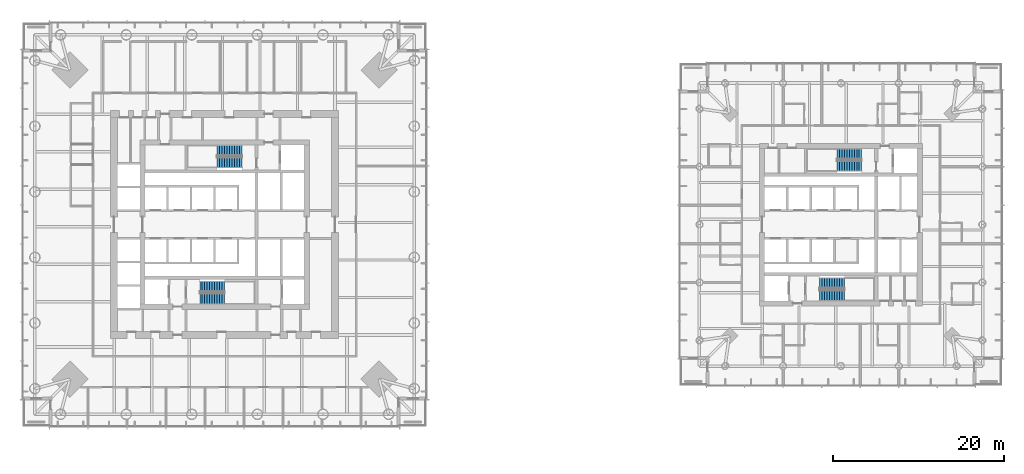
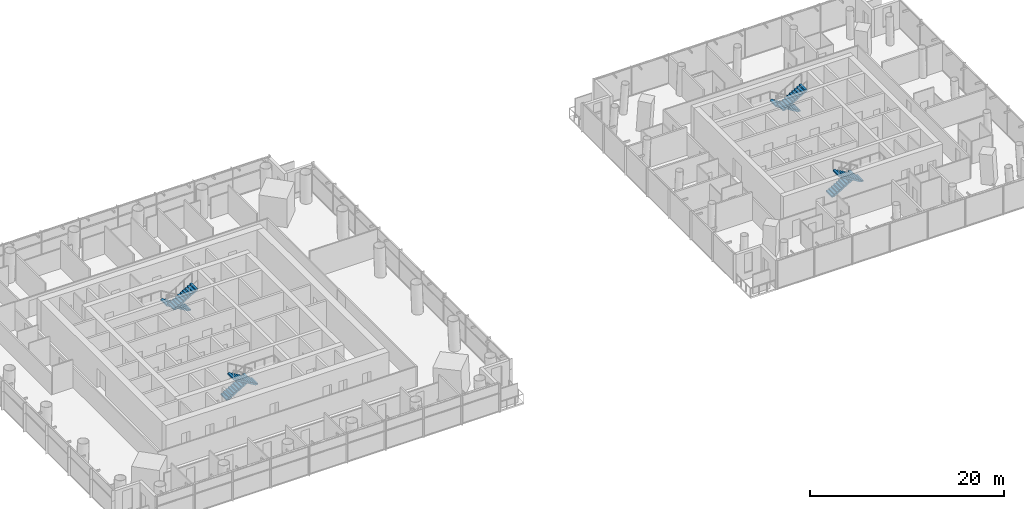
# One storey, part 20 of 24: 8 stair flights, 4 elements without a shape of their own.
"""IFC4 building model written with IfcOpenShell, lengths in metres."""

import ifcopenshell
import ifcopenshell.guid

model = None  # the IFC model being written
_history = None  # IfcOwnerHistory: only IFC2X3 demands one
_inside = {}  # id of a spatial element -> (the spatial element, [elements in it])
_under = {}  # id of a project, library or spatial element -> (it, [spatial elements below it])
_declared = {}  # id of a project -> (the project, [libraries it declares])
_typed = {}  # id of a type object -> (the type object, [elements of that type])
_made_of = {}  # id of a material, layer set ... -> (it, [elements and type objects made of it])


def new_model(schema):
    """Start an empty IFC model of exactly this schema.

    Asked for "IFC4X3", IfcOpenShell would pick the latest addendum, in which some entities
    have other attributes; the version numbers below select the first issue.
    IFC2X3 requires an IfcOwnerHistory on every rooted entity: one is made here for all.
    """
    global model, _history
    if schema == "IFC4X3":
        model = ifcopenshell.file(schema_version=(4, 3, 0, 0))
    else:
        model = ifcopenshell.file(schema=schema)
    _inside.clear()
    _under.clear()
    _declared.clear()
    _typed.clear()
    _made_of.clear()
    _history = None
    if model.schema == "IFC2X3":
        org = make("IfcOrganization", Name="unknown")
        user = make(
            "IfcPersonAndOrganization",
            ThePerson=make("IfcPerson", FamilyName="unknown"),
            TheOrganization=org,
        )
        app = make(
            "IfcApplication",
            ApplicationDeveloper=org,
            Version="unknown",
            ApplicationFullName="unknown",
            ApplicationIdentifier="unknown",
        )
        _history = make(
            "IfcOwnerHistory",
            OwningUser=user,
            OwningApplication=app,
            ChangeAction="ADDED",
            CreationDate=0,
        )
    return model


def make(cls, **values):
    """One entity of the class cls with the attributes given. An attribute that is None is left unset."""
    return model.create_entity(
        cls, **{name: value for name, value in values.items() if value is not None}
    )


def rooted(cls, **values):
    """An entity with a GlobalId (a new one), such as an element, a storey or a relation."""
    return make(cls, GlobalId=ifcopenshell.guid.new(), OwnerHistory=_history, **values)


def si_unit(unit_type, name, prefix=None):
    """IfcSIUnit, for example si_unit("LENGTHUNIT", "METRE", prefix="MILLI")."""
    return make("IfcSIUnit", UnitType=unit_type, Prefix=prefix, Name=name)


def assignment(units):
    """IfcUnitAssignment: the units of a project."""
    return None if units is None else make("IfcUnitAssignment", Units=units)


def point(xyz):
    """IfcCartesianPoint."""
    return None if xyz is None else make("IfcCartesianPoint", Coordinates=xyz)


def direction(xyz):
    """IfcDirection."""
    return None if xyz is None else make("IfcDirection", DirectionRatios=xyz)


def frame(location, z_axis=None, x_axis=None):
    """IfcAxis2Placement3D, a coordinate frame: its origin and axes. An axis left out is left unset."""
    return make(
        "IfcAxis2Placement3D",
        Location=point(location),
        Axis=direction(z_axis),
        RefDirection=direction(x_axis),
    )


def origin():
    """The frame at (0, 0, 0) with its axes left unset."""
    return frame((0.0, 0.0, 0.0))


def place(relative_to, where):
    """IfcLocalPlacement: puts the frame where relative to a parent placement (None: the world)."""
    return make(
        "IfcLocalPlacement", PlacementRelTo=relative_to, RelativePlacement=where
    )


def context(
    kind, dimensions, precision=None, world=None, true_north=None, identifier=None
):
    """IfcGeometricRepresentationContext, for example the 3D "Model" context."""
    return make(
        "IfcGeometricRepresentationContext",
        ContextIdentifier=identifier,
        ContextType=kind,
        CoordinateSpaceDimension=dimensions,
        Precision=precision,
        WorldCoordinateSystem=world,
        TrueNorth=true_north,
    )


def subcontext(parent, identifier, kind, view, scale=None):
    """IfcGeometricRepresentationSubContext, for example "Body" below "Model"."""
    return make(
        "IfcGeometricRepresentationSubContext",
        ContextIdentifier=identifier,
        ContextType=kind,
        ParentContext=parent,
        TargetScale=scale,
        TargetView=view,
    )


def project(units=None, contexts=None):
    """IfcProject with its units and contexts."""
    return rooted(
        "IfcProject",
        Name="project",
        RepresentationContexts=contexts,
        UnitsInContext=assignment(units),
    )


def spatial(cls, under=None, at=None, **own):
    """A site, building, storey or space (cls), placed at a placement, below another one or the project."""
    s = rooted(cls, ObjectPlacement=at, **own)
    if under is not None:
        _under.setdefault(under.id(), (under, []))[1].append(s)
    return s


def polyline(points):
    """IfcPolyline through the points."""
    return make("IfcPolyline", Points=[point(p) for p in points])


def outline(outer, holes=None, kind="AREA"):
    """IfcArbitraryClosedProfileDef: a profile drawn as a closed curve; with holes, ...WithVoids."""
    if holes is None:
        return make("IfcArbitraryClosedProfileDef", ProfileType=kind, OuterCurve=outer)
    return make(
        "IfcArbitraryProfileDefWithVoids",
        ProfileType=kind,
        OuterCurve=outer,
        InnerCurves=holes,
    )


def extrude(swept, where, along, depth):
    """IfcExtrudedAreaSolid: the profile swept, set in the frame where, extruded along a direction by depth."""
    return make(
        "IfcExtrudedAreaSolid",
        SweptArea=swept,
        Position=where,
        ExtrudedDirection=direction(along),
        Depth=depth,
    )


def shape(context_of_items, identifier, shape_type, items):
    """IfcShapeRepresentation: the items that make up one representation, for example the "Body"."""
    return make(
        "IfcShapeRepresentation",
        ContextOfItems=context_of_items,
        RepresentationIdentifier=identifier,
        RepresentationType=shape_type,
        Items=items,
    )


def material(Name=None, Category=None):
    """IfcMaterial."""
    return make("IfcMaterial", Name=Name, Category=Category)


def made_of(thing, what):
    """Note that an element or type object is made of a material, layer set ...; save() writes the relation."""
    if what is not None:
        _made_of.setdefault(what.id(), (what, []))[1].append(thing)
    return thing


def type_object(cls, material=None, **own):
    """A type object (cls), such as IfcWallType, which elements share."""
    return made_of(rooted(cls, **own), material)


def element(
    cls,
    number,
    at=None,
    inside=None,
    cuts=None,
    type_object=None,
    material=None,
    context=None,
    identifier="Body",
    shape_type=None,
    held_by="IfcProductDefinitionShape",
    body=None,
    shapes=None,
    **own,
):
    """One element of the class cls, such as IfcWall. Its Tag is "e" and its number.

    at: its placement. inside: the storey or other place that contains it. cuts: it is an
    opening in that element (IfcRelVoidsElement). A single representation is given by context,
    identifier, shape_type and body (its items); several are given by shapes. held_by: the class
    of the entity that holds the representations. save() writes the other relations.
    """
    e = rooted(cls, Tag="e%d" % number, ObjectPlacement=at, **own)
    if body is not None:
        shapes = [shape(context, identifier, shape_type, body)]
    if shapes is not None:
        e.Representation = make(held_by, Representations=shapes)
    if inside is not None:
        _inside.setdefault(inside.id(), (inside, []))[1].append(e)
    if cuts is not None:
        rooted(
            "IfcRelVoidsElement", RelatingBuildingElement=cuts, RelatedOpeningElement=e
        )
    if type_object is not None:
        _typed.setdefault(type_object.id(), (type_object, []))[1].append(e)
    return made_of(e, material)


def aggregate(whole, parts):
    """IfcRelAggregates: a whole, such as a stair, and the parts it consists of."""
    return rooted("IfcRelAggregates", RelatingObject=whole, RelatedObjects=parts)


def save(model, path):
    """Write the relations noted so far, then the file.

    IfcRelAggregates (storeys below a building ...), IfcRelContainedInSpatialStructure (elements
    in a storey), IfcRelDefinesByType, IfcRelAssociatesMaterial and IfcRelDeclares: one each for
    every whole, place, type object, material and project.
    """
    for whole, parts in _under.values():
        aggregate(whole, parts)
    for where, things in _inside.values():
        rooted(
            "IfcRelContainedInSpatialStructure",
            RelatedElements=things,
            RelatingStructure=where,
        )
    for kind, things in _typed.values():
        rooted("IfcRelDefinesByType", RelatedObjects=things, RelatingType=kind)
    for what, things in _made_of.values():
        rooted("IfcRelAssociatesMaterial", RelatedObjects=things, RelatingMaterial=what)
    for by, libraries in _declared.values():
        rooted("IfcRelDeclares", RelatingContext=by, RelatedDefinitions=libraries)
    model.write(path)


model = new_model("IFC4")

# Units and contexts
model_context = context("Model", 3, precision=1e-05, world=origin(), true_north=direction((0.0, 1.0)))
body_context = subcontext(model_context, "Body", "Model", "MODEL_VIEW")
ifc_project = project(units=[si_unit("LENGTHUNIT", "METRE"), si_unit("AREAUNIT", "SQUARE_METRE"), si_unit("VOLUMEUNIT", "CUBIC_METRE"), si_unit("PLANEANGLEUNIT", "RADIAN"), si_unit("MASSUNIT", "GRAM", prefix="KILO")], contexts=[model_context])

# Site, building, storey
site_placement = place(None, origin())
site = spatial("IfcSite", under=ifc_project, at=site_placement, CompositionType="ELEMENT")
building_placement = place(site_placement, origin())
building = spatial("IfcBuilding", under=site, at=building_placement, Name="Ostroluk Exchange", CompositionType="ELEMENT")
storey_placement = place(building_placement, frame((0.0, 0.0, 78.0)))
storey = spatial("IfcBuildingStorey", under=building, at=storey_placement, Name="L19", CompositionType="ELEMENT", Elevation=78.0)

# Stair, stair flights
ifc_material_1 = material(Name="Concrete C30/37", Category="concrete")
stair_type = type_object("IfcStairType", Name="Exit stair half turn 3800", PredefinedType="HALF_TURN_STAIR", material=ifc_material_1)
stair_1_placement = place(storey_placement, origin())
stair_1 = element("IfcStair", 1, at=stair_1_placement, inside=storey, type_object=stair_type, Name="Stair T1-S1 L19", PredefinedType="HALF_TURN_STAIR")
ifc_material_2 = material(Name="Concrete C30/37", Category="concrete")
stair_flight_type = type_object("IfcStairFlightType", Name="Stair flight 11 risers 172.7 x 290", PredefinedType="STRAIGHT", material=ifc_material_2)
stair_flight_1_placement = place(storey_placement, frame((42.10009765625, 38.77490234375, 0.0), z_axis=(0.0, 0.0, 1.0), x_axis=(1.0, 0.0, 0.0)))
stair_flight_1 = element("IfcStairFlight", 2, at=stair_flight_1_placement, type_object=stair_flight_type, Name="T1-S1 flight 1", NumberOfRisers=11, NumberOfTreads=10, PredefinedType="STRAIGHT", RiserHeight=0.172727273, TreadLength=0.29, context=body_context, shape_type="SweptSolid", body=[
    extrude(outline(polyline([(0.0, 0.0), (0.0, 0.172607421875), (0.2900390625, 0.172607421875), (0.2900390625, 0.345458984375), (0.580078125, 0.345458984375), (0.580078125, 0.51806640625), (0.8701171875, 0.51806640625), (0.8701171875, 0.69091796875), (1.159912109375, 0.69091796875), (1.159912109375, 0.863525390625), (1.449951171875, 0.863525390625), (1.449951171875, 1.036376953125), (1.739990234375, 1.036376953125), (1.739990234375, 1.208984375), (2.030029296875, 1.208984375), (2.030029296875, 1.3818359375), (2.320068359375, 1.3818359375), (2.320068359375, 1.554443359375), (2.610107421875, 1.554443359375), (2.610107421875, 1.727294921875), (2.89990234375, 1.727294921875), (2.89990234375, 1.89990234375), (2.89990234375, 1.552734375), (0.29296875, 0.0), (0.0, 0.0)])), frame((0.0, 0.625, 0.0), z_axis=(0.0, -1.0, 0.0), x_axis=(1.0, 0.0, 0.0)), (0.0, 0.0, 1.0), 1.25),
])
stair_flight_2_placement = place(storey_placement, frame((45.0, 37.324951171875, 1.89990234375), z_axis=(0.0, 0.0, 1.0), x_axis=(-1.0, 0.0, 0.0)))
stair_flight_2 = element("IfcStairFlight", 3, at=stair_flight_2_placement, type_object=stair_flight_type, Name="T1-S1 flight 2", NumberOfRisers=11, NumberOfTreads=10, PredefinedType="STRAIGHT", RiserHeight=0.172727273, TreadLength=0.29, context=body_context, shape_type="SweptSolid", body=[
    extrude(outline(polyline([(0.0, 0.0), (0.0, 0.172607421875), (0.2900390625, 0.172607421875), (0.2900390625, 0.345458984375), (0.580078125, 0.345458984375), (0.580078125, 0.51806640625), (0.8701171875, 0.51806640625), (0.8701171875, 0.69091796875), (1.159912109375, 0.69091796875), (1.159912109375, 0.863525390625), (1.449951171875, 0.863525390625), (1.449951171875, 1.036376953125), (1.739990234375, 1.036376953125), (1.739990234375, 1.208984375), (2.030029296875, 1.208984375), (2.030029296875, 1.3818359375), (2.320068359375, 1.3818359375), (2.320068359375, 1.554443359375), (2.610107421875, 1.554443359375), (2.610107421875, 1.727294921875), (2.89990234375, 1.727294921875), (2.89990234375, 1.89990234375), (2.89990234375, 1.552734375), (0.29296875, 0.0), (0.0, 0.0)])), frame((0.0, 0.625, 0.0), z_axis=(0.0, -1.0, 0.0), x_axis=(1.0, 0.0, 0.0)), (0.0, 0.0, 1.0), 1.25),
])
aggregate(stair_1, [stair_flight_1, stair_flight_2])

stair_2_placement = place(storey_placement, origin())
stair_2 = element("IfcStair", 4, at=stair_2_placement, inside=storey, type_object=stair_type, Name="Stair T1-S2 L19", PredefinedType="HALF_TURN_STAIR")
stair_flight_3_placement = place(storey_placement, frame((47.030029296875, 54.675048828125, 0.0), z_axis=(0.0, 0.0, 1.0), x_axis=(-1.0, 0.0, 0.0)))
stair_flight_3 = element("IfcStairFlight", 5, at=stair_flight_3_placement, type_object=stair_flight_type, Name="T1-S2 flight 1", NumberOfRisers=11, NumberOfTreads=10, PredefinedType="STRAIGHT", RiserHeight=0.172727273, TreadLength=0.29, context=body_context, shape_type="SweptSolid", body=[
    extrude(outline(polyline([(0.0, 0.0), (0.0, 0.172607421875), (0.2900390625, 0.172607421875), (0.2900390625, 0.345458984375), (0.580078125, 0.345458984375), (0.580078125, 0.51806640625), (0.8701171875, 0.51806640625), (0.8701171875, 0.69091796875), (1.159912109375, 0.69091796875), (1.159912109375, 0.863525390625), (1.449951171875, 0.863525390625), (1.449951171875, 1.036376953125), (1.739990234375, 1.036376953125), (1.739990234375, 1.208984375), (2.030029296875, 1.208984375), (2.030029296875, 1.3818359375), (2.320068359375, 1.3818359375), (2.320068359375, 1.554443359375), (2.610107421875, 1.554443359375), (2.610107421875, 1.727294921875), (2.89990234375, 1.727294921875), (2.89990234375, 1.89990234375), (2.89990234375, 1.552734375), (0.29296875, 0.0), (0.0, 0.0)])), frame((0.0, 0.625, 0.0), z_axis=(0.0, -1.0, 0.0), x_axis=(1.0, 0.0, 0.0)), (0.0, 0.0, 1.0), 1.25),
])
stair_flight_4_placement = place(storey_placement, frame((44.1298828125, 53.22509765625, 1.89990234375), z_axis=(0.0, 0.0, 1.0), x_axis=(1.0, 0.0, 0.0)))
stair_flight_4 = element("IfcStairFlight", 6, at=stair_flight_4_placement, type_object=stair_flight_type, Name="T1-S2 flight 2", NumberOfRisers=11, NumberOfTreads=10, PredefinedType="STRAIGHT", RiserHeight=0.172727273, TreadLength=0.29, context=body_context, shape_type="SweptSolid", body=[
    extrude(outline(polyline([(0.0, 0.0), (0.0, 0.172607421875), (0.2900390625, 0.172607421875), (0.2900390625, 0.345458984375), (0.580078125, 0.345458984375), (0.580078125, 0.51806640625), (0.8701171875, 0.51806640625), (0.8701171875, 0.69091796875), (1.159912109375, 0.69091796875), (1.159912109375, 0.863525390625), (1.449951171875, 0.863525390625), (1.449951171875, 1.036376953125), (1.739990234375, 1.036376953125), (1.739990234375, 1.208984375), (2.030029296875, 1.208984375), (2.030029296875, 1.3818359375), (2.320068359375, 1.3818359375), (2.320068359375, 1.554443359375), (2.610107421875, 1.554443359375), (2.610107421875, 1.727294921875), (2.89990234375, 1.727294921875), (2.89990234375, 1.89990234375), (2.89990234375, 1.552734375), (0.29296875, 0.0), (0.0, 0.0)])), frame((0.0, 0.625, 0.0), z_axis=(0.0, -1.0, 0.0), x_axis=(1.0, 0.0, 0.0)), (0.0, 0.0, 1.0), 1.25),
])
aggregate(stair_2, [stair_flight_3, stair_flight_4])

stair_3_placement = place(storey_placement, origin())
stair_3 = element("IfcStair", 7, at=stair_3_placement, inside=storey, type_object=stair_type, Name="Stair T2-S1 L19", PredefinedType="HALF_TURN_STAIR")
stair_flight_5_placement = place(storey_placement, frame((114.5, 39.175048828125, 0.0), z_axis=(0.0, 0.0, 1.0), x_axis=(1.0, 0.0, 0.0)))
stair_flight_5 = element("IfcStairFlight", 8, at=stair_flight_5_placement, type_object=stair_flight_type, Name="T2-S1 flight 1", NumberOfRisers=11, NumberOfTreads=10, PredefinedType="STRAIGHT", RiserHeight=0.172727273, TreadLength=0.29, context=body_context, shape_type="SweptSolid", body=[
    extrude(outline(polyline([(0.0, 0.0), (0.0, 0.172607421875), (0.2900390625, 0.172607421875), (0.2900390625, 0.345458984375), (0.580078125, 0.345458984375), (0.580078125, 0.51806640625), (0.8701171875, 0.51806640625), (0.8701171875, 0.69091796875), (1.159912109375, 0.69091796875), (1.159912109375, 0.863525390625), (1.449951171875, 0.863525390625), (1.449951171875, 1.036376953125), (1.739990234375, 1.036376953125), (1.739990234375, 1.208984375), (2.030029296875, 1.208984375), (2.030029296875, 1.3818359375), (2.320068359375, 1.3818359375), (2.320068359375, 1.554443359375), (2.610107421875, 1.554443359375), (2.610107421875, 1.727294921875), (2.89990234375, 1.727294921875), (2.89990234375, 1.89990234375), (2.89990234375, 1.552734375), (0.29296875, 0.0), (0.0, 0.0)])), frame((0.0, 0.625, 0.0), z_axis=(0.0, -1.0, 0.0), x_axis=(1.0, 0.0, 0.0)), (0.0, 0.0, 1.0), 1.25),
])
stair_flight_6_placement = place(storey_placement, frame((117.39990234375, 37.72509765625, 1.89990234375), z_axis=(0.0, 0.0, 1.0), x_axis=(-1.0, 0.0, 0.0)))
stair_flight_6 = element("IfcStairFlight", 9, at=stair_flight_6_placement, type_object=stair_flight_type, Name="T2-S1 flight 2", NumberOfRisers=11, NumberOfTreads=10, PredefinedType="STRAIGHT", RiserHeight=0.172727273, TreadLength=0.29, context=body_context, shape_type="SweptSolid", body=[
    extrude(outline(polyline([(0.0, 0.0), (0.0, 0.172607421875), (0.2900390625, 0.172607421875), (0.2900390625, 0.345458984375), (0.580078125, 0.345458984375), (0.580078125, 0.51806640625), (0.8701171875, 0.51806640625), (0.8701171875, 0.69091796875), (1.159912109375, 0.69091796875), (1.159912109375, 0.863525390625), (1.449951171875, 0.863525390625), (1.449951171875, 1.036376953125), (1.739990234375, 1.036376953125), (1.739990234375, 1.208984375), (2.030029296875, 1.208984375), (2.030029296875, 1.3818359375), (2.320068359375, 1.3818359375), (2.320068359375, 1.554443359375), (2.610107421875, 1.554443359375), (2.610107421875, 1.727294921875), (2.89990234375, 1.727294921875), (2.89990234375, 1.89990234375), (2.89990234375, 1.552734375), (0.29296875, 0.0), (0.0, 0.0)])), frame((0.0, 0.625, 0.0), z_axis=(0.0, -1.0, 0.0), x_axis=(1.0, 0.0, 0.0)), (0.0, 0.0, 1.0), 1.25),
])
aggregate(stair_3, [stair_flight_5, stair_flight_6])

stair_4_placement = place(storey_placement, origin())
stair_4 = element("IfcStair", 10, at=stair_4_placement, inside=storey, type_object=stair_type, Name="Stair T2-S2 L19", PredefinedType="HALF_TURN_STAIR")
stair_flight_7_placement = place(storey_placement, frame((119.429931640625, 54.27490234375, 0.0), z_axis=(0.0, 0.0, 1.0), x_axis=(-1.0, 0.0, 0.0)))
stair_flight_7 = element("IfcStairFlight", 11, at=stair_flight_7_placement, type_object=stair_flight_type, Name="T2-S2 flight 1", NumberOfRisers=11, NumberOfTreads=10, PredefinedType="STRAIGHT", RiserHeight=0.172727273, TreadLength=0.29, context=body_context, shape_type="SweptSolid", body=[
    extrude(outline(polyline([(0.0, 0.0), (0.0, 0.172607421875), (0.2900390625, 0.172607421875), (0.2900390625, 0.345458984375), (0.580078125, 0.345458984375), (0.580078125, 0.51806640625), (0.8701171875, 0.51806640625), (0.8701171875, 0.69091796875), (1.159912109375, 0.69091796875), (1.159912109375, 0.863525390625), (1.449951171875, 0.863525390625), (1.449951171875, 1.036376953125), (1.739990234375, 1.036376953125), (1.739990234375, 1.208984375), (2.030029296875, 1.208984375), (2.030029296875, 1.3818359375), (2.320068359375, 1.3818359375), (2.320068359375, 1.554443359375), (2.610107421875, 1.554443359375), (2.610107421875, 1.727294921875), (2.89990234375, 1.727294921875), (2.89990234375, 1.89990234375), (2.89990234375, 1.552734375), (0.29296875, 0.0), (0.0, 0.0)])), frame((0.0, 0.625, 0.0), z_axis=(0.0, -1.0, 0.0), x_axis=(1.0, 0.0, 0.0)), (0.0, 0.0, 1.0), 1.25),
])
stair_flight_8_placement = place(storey_placement, frame((116.530029296875, 52.824951171875, 1.89990234375), z_axis=(0.0, 0.0, 1.0), x_axis=(1.0, 0.0, 0.0)))
stair_flight_8 = element("IfcStairFlight", 12, at=stair_flight_8_placement, type_object=stair_flight_type, Name="T2-S2 flight 2", NumberOfRisers=11, NumberOfTreads=10, PredefinedType="STRAIGHT", RiserHeight=0.172727273, TreadLength=0.29, context=body_context, shape_type="SweptSolid", body=[
    extrude(outline(polyline([(0.0, 0.0), (0.0, 0.172607421875), (0.2900390625, 0.172607421875), (0.2900390625, 0.345458984375), (0.580078125, 0.345458984375), (0.580078125, 0.51806640625), (0.8701171875, 0.51806640625), (0.8701171875, 0.69091796875), (1.159912109375, 0.69091796875), (1.159912109375, 0.863525390625), (1.449951171875, 0.863525390625), (1.449951171875, 1.036376953125), (1.739990234375, 1.036376953125), (1.739990234375, 1.208984375), (2.030029296875, 1.208984375), (2.030029296875, 1.3818359375), (2.320068359375, 1.3818359375), (2.320068359375, 1.554443359375), (2.610107421875, 1.554443359375), (2.610107421875, 1.727294921875), (2.89990234375, 1.727294921875), (2.89990234375, 1.89990234375), (2.89990234375, 1.552734375), (0.29296875, 0.0), (0.0, 0.0)])), frame((0.0, 0.625, 0.0), z_axis=(0.0, -1.0, 0.0), x_axis=(1.0, 0.0, 0.0)), (0.0, 0.0, 1.0), 1.25),
])
aggregate(stair_4, [stair_flight_7, stair_flight_8])

save(model, "model.ifc")
